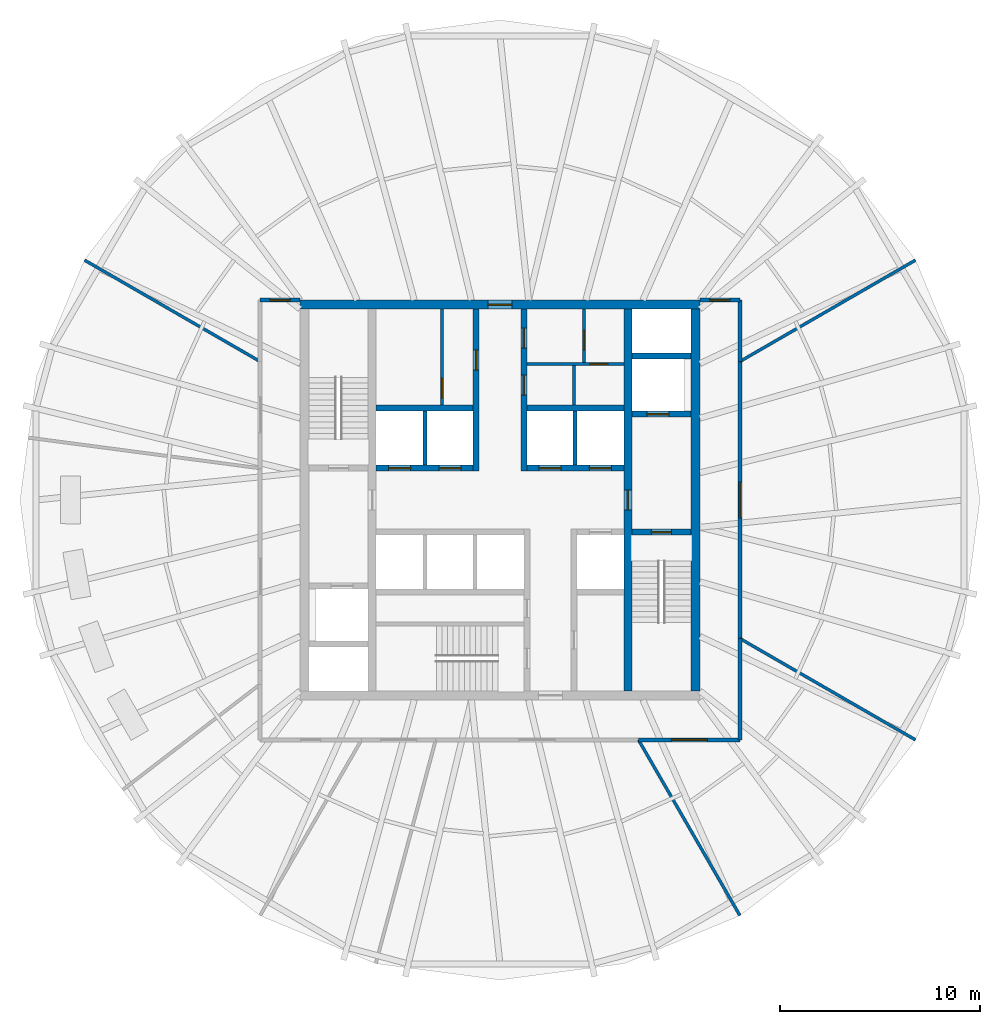
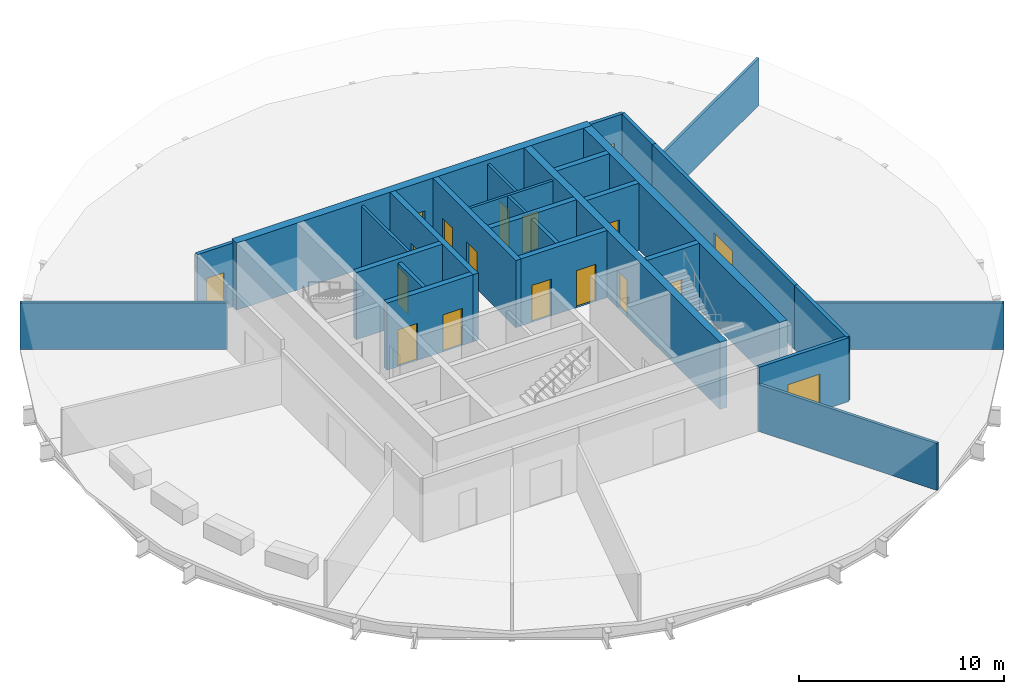
# One storey, part 4 of 7: 28 walls, 18 doors, 18 openings.
"""IFC4 building model written with IfcOpenShell, lengths in metres."""

from ifc_helpers import new_model, si_unit, direction, frame, frame_2d, origin, place, context, subcontext, project, spatial, rectangle, extrude, material, layer, layer_set, type_object, element, fill, save


model = new_model("IFC4")

# Units and contexts
model_context = context("Model", 3, precision=1e-05, world=origin(), true_north=direction((0.0, 1.0)))
body_context = subcontext(model_context, "Body", "Model", "MODEL_VIEW")
ifc_project = project(units=[si_unit("LENGTHUNIT", "METRE"), si_unit("AREAUNIT", "SQUARE_METRE"), si_unit("VOLUMEUNIT", "CUBIC_METRE"), si_unit("PLANEANGLEUNIT", "RADIAN"), si_unit("MASSUNIT", "GRAM", prefix="KILO")], contexts=[model_context])

# Site, building, storey
site_placement = place(None, origin())
site = spatial("IfcSite", under=ifc_project, at=site_placement, CompositionType="ELEMENT")
building_placement = place(site_placement, origin())
building = spatial("IfcBuilding", under=site, at=building_placement, Name="Golbaran Civic Tower", CompositionType="ELEMENT")
storey_placement = place(building_placement, frame((0.0, 0.0, 171.0)))
storey = spatial("IfcBuildingStorey", under=building, at=storey_placement, Name="L41", CompositionType="ELEMENT", Elevation=171.0)

# Wall, opening, door
ifc_material_1 = material(Name="Concrete block", Category="concrete")
ifc_layer_1 = layer(ifc_material_1, 0.14990234375, Name="Concrete block")
ifc_layer_set_1 = layer_set([ifc_layer_1], Name="Concrete block")
wall_type_1 = type_object("IfcWallType", Name="BLOCKWORK PARTITION 150", PredefinedType="PARTITIONING", material=ifc_layer_set_1)
wall_1_placement = place(storey_placement, frame((1.35009765625, 6.800048828125, 0.0), z_axis=(0.0, 0.0, 1.0), x_axis=(1.0, 0.0, 0.0)))
wall_1 = element("IfcWall", 1, at=wall_1_placement, inside=storey, type_object=wall_type_1, Name="Toilet block partition TN1 L41", PredefinedType="PARTITIONING", context=body_context, shape_type="SweptSolid", body=[
    extrude(rectangle(XDim=4.849853515625, YDim=0.14990234375, at=frame_2d((2.4248046875, 0.0))), origin(), (0.0, 0.0, 1.0), 3.75),
])
opening_1_placement = place(wall_1_placement, frame((3.14990234375, 0.0, 0.0)))
opening_1 = element("IfcOpeningElement", 2, at=opening_1_placement, cuts=wall_1, Name="Opening L41.CLN", PredefinedType="OPENING", context=body_context, shape_type="SweptSolid", body=[
    extrude(rectangle(XDim=0.89990234375, YDim=2.199951171875, at=frame_2d((0.449951171875, 1.10009765625))), frame((0.0, 0.0849609375, 0.0), z_axis=(0.0, -1.0, 0.0), x_axis=(1.0, 0.0, 0.0)), (0.0, 0.0, 1.0), 0.169921875),
])
ifc_material_2 = material(Name="Timber door set in steel frame", Category="steel")
door_type_1 = type_object("IfcDoorType", Name="RISER DOOR 900x2200", OperationType="SINGLE_SWING_LEFT", PredefinedType="DOOR", material=ifc_material_2)
door_1_placement = place(opening_1_placement, origin())
door_1 = element("IfcDoor", 3, at=door_1_placement, inside=storey, type_object=door_type_1, Name="Sanitary Supplies Store door", OperationType="SINGLE_SWING_RIGHT", OverallHeight=2.199951171875, OverallWidth=0.89990234375, PredefinedType="DOOR", context=body_context, shape_type="SweptSolid", body=[
    extrude(rectangle(XDim=0.89990234375, YDim=2.199951171875, at=frame_2d((0.449951171875, 1.10009765625))), frame((0.0, 0.02490234375, 0.0), z_axis=(0.0, -1.0, 0.0), x_axis=(1.0, 0.0, 0.0)), (0.0, 0.0, 1.0), 0.050048828125),
])
fill(opening_1, door_1)

# Wall
wall_2_placement = place(storey_placement, frame((3.699951171875, 4.75, 0.0), z_axis=(0.0, 0.0, 1.0), x_axis=(0.0, 1.0, 0.0)))
element("IfcWall", 4, at=wall_2_placement, inside=storey, type_object=wall_type_1, Name="Toilet block partition TN2 L41", PredefinedType="PARTITIONING", context=body_context, shape_type="SweptSolid", body=[
    extrude(rectangle(XDim=1.97509765625, YDim=0.14990234375, at=frame_2d((0.987548828125, 0.0))), origin(), (0.0, 0.0, 1.0), 3.75),
])

# Wall, opening, door
ifc_material_3 = material(Name="Concrete C50/60", Category="concrete")
ifc_layer_2 = layer(ifc_material_3, 0.39990234375, Name="Concrete C50/60")
ifc_layer_set_2 = layer_set([ifc_layer_2], Name="Concrete C50/60")
wall_type_2 = type_object("IfcWallType", Name="CORE WALL CONCRETE 400", PredefinedType="SOLIDWALL", material=ifc_layer_set_2)
wall_3_placement = place(storey_placement, frame((6.39990234375, 9.550048828125, 0.0), z_axis=(0.0, 0.0, 1.0), x_axis=(0.0, -1.0, 0.0)))
wall_3 = element("IfcWall", 5, at=wall_3_placement, inside=storey, type_object=wall_type_2, Name="Core wall IE L41", PredefinedType="SOLIDWALL", context=body_context, shape_type="SweptSolid", body=[
    extrude(rectangle(XDim=19.10009765625, YDim=0.39990234375, at=frame_2d((9.550048828125, 0.0))), origin(), (0.0, 0.0, 1.0), 4.0),
])
opening_2_placement = place(wall_3_placement, frame((9.050048828125, 0.0, 0.0)))
opening_2 = element("IfcOpeningElement", 6, at=opening_2_placement, cuts=wall_3, Name="Opening L41.FL2", PredefinedType="OPENING", context=body_context, shape_type="SweptSolid", body=[
    extrude(rectangle(XDim=1.0, YDim=2.199951171875, at=frame_2d((0.5, 1.10009765625))), frame((0.0, 0.2099609375, 0.0), z_axis=(0.0, -1.0, 0.0), x_axis=(1.0, 0.0, 0.0)), (0.0, 0.0, 1.0), 0.419921875),
])
door_type_2 = type_object("IfcDoorType", Name="STAIR DOOR 1000x2200", OperationType="SINGLE_SWING_LEFT", PredefinedType="DOOR", material=ifc_material_2)
door_2_placement = place(opening_2_placement, origin())
door_2 = element("IfcDoor", 7, at=door_2_placement, inside=storey, type_object=door_type_2, Name="Fire-fighting lobby FL2 door", OperationType="SINGLE_SWING_RIGHT", OverallHeight=2.199951171875, OverallWidth=1.0, PredefinedType="DOOR", context=body_context, shape_type="SweptSolid", body=[
    extrude(rectangle(XDim=1.0, YDim=2.199951171875, at=frame_2d((0.5, 1.10009765625))), frame((0.0, 0.02490234375, 0.0), z_axis=(0.0, -1.0, 0.0), x_axis=(1.0, 0.0, 0.0)), (0.0, 0.0, 1.0), 0.050048828125),
])
fill(opening_2, door_2)

ifc_layer_3 = layer(ifc_material_3, 0.449951171875, Name="Concrete C50/60")
ifc_layer_set_3 = layer_set([ifc_layer_3], Name="Concrete C50/60")
wall_type_3 = type_object("IfcWallType", Name="CORE WALL CONCRETE 450", PredefinedType="SOLIDWALL", material=ifc_layer_set_3)
wall_4_placement = place(storey_placement, frame((-10.0, 9.77490234375, 0.0), z_axis=(0.0, 0.0, 1.0), x_axis=(1.0, 0.0, 0.0)))
wall_4 = element("IfcWall", 8, at=wall_4_placement, inside=storey, type_object=wall_type_3, Name="Core wall CN L41", PredefinedType="SOLIDWALL", context=body_context, shape_type="SweptSolid", body=[
    extrude(rectangle(XDim=20.0, YDim=0.449951171875, at=frame_2d((10.0, 0.0))), origin(), (0.0, 0.0, 1.0), 4.0),
])
opening_3_placement = place(wall_4_placement, frame((9.39990234375, 0.0, 0.0)))
opening_3 = element("IfcOpeningElement", 9, at=opening_3_placement, cuts=wall_4, Name="Opening L41.CN", PredefinedType="OPENING", context=body_context, shape_type="SweptSolid", body=[
    extrude(rectangle(XDim=1.199951171875, YDim=2.199951171875, at=frame_2d((0.60009765625, 1.10009765625))), frame((0.0, 0.23486328125, 0.0), z_axis=(0.0, -1.0, 0.0), x_axis=(1.0, 0.0, 0.0)), (0.0, 0.0, 1.0), 0.469970703125),
])
door_type_3 = type_object("IfcDoorType", Name="CORE DOOR 1200x2200", OperationType="DOUBLE_DOOR_SINGLE_SWING", PredefinedType="DOOR", material=ifc_material_2)
door_3_placement = place(opening_3_placement, origin())
door_3 = element("IfcDoor", 10, at=door_3_placement, inside=storey, type_object=door_type_3, Name="Core door north", OperationType="DOUBLE_DOOR_SINGLE_SWING", OverallHeight=2.199951171875, OverallWidth=1.199951171875, PredefinedType="DOOR", context=body_context, shape_type="SweptSolid", body=[
    extrude(rectangle(XDim=1.199951171875, YDim=2.199951171875, at=frame_2d((0.60009765625, 1.10009765625))), frame((0.0, 0.02490234375, 0.0), z_axis=(0.0, -1.0, 0.0), x_axis=(1.0, 0.0, 0.0)), (0.0, 0.0, 1.0), 0.050048828125),
])
fill(opening_3, door_3)

# Wall
wall_5_placement = place(storey_placement, frame((9.77490234375, -9.550048828125, 0.0), z_axis=(0.0, 0.0, 1.0), x_axis=(0.0, 1.0, 0.0)))
element("IfcWall", 11, at=wall_5_placement, inside=storey, type_object=wall_type_3, Name="Core wall CE L41", PredefinedType="SOLIDWALL", context=body_context, shape_type="SweptSolid", body=[
    extrude(rectangle(XDim=19.10009765625, YDim=0.449951171875, at=frame_2d((9.550048828125, 0.0))), origin(), (0.0, 0.0, 1.0), 4.0),
])

# Wall, opening, door
ifc_material_4 = material(Name="Gypsum board on steel studs, fire-rated", Category="steel")
ifc_layer_4 = layer(ifc_material_4, 0.199951171875, Name="Gypsum board on steel studs, fire-rated")
ifc_layer_set_4 = layer_set([ifc_layer_4], Name="Gypsum board on steel studs, fire-rated")
wall_type_4 = type_object("IfcWallType", Name="CORRIDOR WALL 200", PredefinedType="PARTITIONING", material=ifc_layer_set_4)
wall_6_placement = place(storey_placement, frame((12.0, -6.92822265625, 0.0), z_axis=(0.0, 0.0, 1.0), x_axis=(0.0, 1.0, 0.0)))
wall_6 = element("IfcWall", 12, at=wall_6_placement, inside=storey, type_object=wall_type_4, Name="Corridor wall L41", PredefinedType="PARTITIONING", context=body_context, shape_type="SweptSolid", body=[
    extrude(rectangle(XDim=13.8564453125, YDim=0.199951171875, at=frame_2d((6.92822265625, 0.0))), origin(), (0.0, 0.0, 1.0), 3.800048828125),
])
opening_4_placement = place(wall_6_placement, frame((6.0283203125, 0.0, 0.0)))
opening_4 = element("IfcOpeningElement", 13, at=opening_4_placement, cuts=wall_6, Name="Opening L41.02", PredefinedType="OPENING", context=body_context, shape_type="SweptSolid", body=[
    extrude(rectangle(XDim=1.800048828125, YDim=2.199951171875, at=frame_2d((0.89990234375, 1.10009765625))), frame((0.0, 0.10986328125, 0.0), z_axis=(0.0, -1.0, 0.0), x_axis=(1.0, 0.0, 0.0)), (0.0, 0.0, 1.0), 0.219970703125),
])
door_type_4 = type_object("IfcDoorType", Name="OFFICE DOUBLE DOOR 1800x2200", OperationType="DOUBLE_DOOR_SINGLE_SWING", PredefinedType="DOOR", material=ifc_material_2)
door_4_placement = place(opening_4_placement, origin())
door_4 = element("IfcDoor", 14, at=door_4_placement, inside=storey, type_object=door_type_4, Name="Open Office door L41", OperationType="DOUBLE_DOOR_SINGLE_SWING", OverallHeight=2.199951171875, OverallWidth=1.800048828125, PredefinedType="DOOR", context=body_context, shape_type="SweptSolid", body=[
    extrude(rectangle(XDim=1.800048828125, YDim=2.199951171875, at=frame_2d((0.89990234375, 1.10009765625))), frame((0.0, 0.02490234375, 0.0), z_axis=(0.0, -1.0, 0.0), x_axis=(1.0, 0.0, 0.0)), (0.0, 0.0, 1.0), 0.050048828125),
])
fill(opening_4, door_4)

# Wall
wall_7_placement = place(storey_placement, frame((12.0, 6.92822265625, 0.0), z_axis=(0.0, 0.0, 1.0), x_axis=(0.0, 1.0, 0.0)))
element("IfcWall", 15, at=wall_7_placement, inside=storey, type_object=wall_type_4, Name="Corridor wall L41", PredefinedType="PARTITIONING", context=body_context, shape_type="SweptSolid", body=[
    extrude(rectangle(XDim=3.07177734375, YDim=0.199951171875, at=frame_2d((1.535888671875, 0.0))), origin(), (0.0, 0.0, 1.0), 3.800048828125),
])

# Wall, opening, door
wall_8_placement = place(storey_placement, frame((6.92822265625, -12.0, 0.0), z_axis=(0.0, 0.0, 1.0), x_axis=(1.0, 0.0, 0.0)))
wall_8 = element("IfcWall", 16, at=wall_8_placement, inside=storey, type_object=wall_type_4, Name="Corridor wall L41", PredefinedType="PARTITIONING", context=body_context, shape_type="SweptSolid", body=[
    extrude(rectangle(XDim=5.07177734375, YDim=0.199951171875, at=frame_2d((2.535888671875, 0.0))), origin(), (0.0, 0.0, 1.0), 3.800048828125),
])
opening_5_placement = place(wall_8_placement, frame((1.635986328125, 0.0, 0.0)))
opening_5 = element("IfcOpeningElement", 17, at=opening_5_placement, cuts=wall_8, Name="Opening L41.08", PredefinedType="OPENING", context=body_context, shape_type="SweptSolid", body=[
    extrude(rectangle(XDim=1.800048828125, YDim=2.199951171875, at=frame_2d((0.89990234375, 1.10009765625))), frame((0.0, 0.10986328125, 0.0), z_axis=(0.0, -1.0, 0.0), x_axis=(1.0, 0.0, 0.0)), (0.0, 0.0, 1.0), 0.219970703125),
])
door_5_placement = place(opening_5_placement, origin())
door_5 = element("IfcDoor", 18, at=door_5_placement, inside=storey, type_object=door_type_4, Name="Open Office door L41", OperationType="DOUBLE_DOOR_SINGLE_SWING", OverallHeight=2.199951171875, OverallWidth=1.800048828125, PredefinedType="DOOR", context=body_context, shape_type="SweptSolid", body=[
    extrude(rectangle(XDim=1.800048828125, YDim=2.199951171875, at=frame_2d((0.89990234375, 1.10009765625))), frame((0.0, 0.02490234375, 0.0), z_axis=(0.0, -1.0, 0.0), x_axis=(1.0, 0.0, 0.0)), (0.0, 0.0, 1.0), 0.050048828125),
])
fill(opening_5, door_5)

# Wall
wall_9_placement = place(storey_placement, frame((12.0, -12.0, 0.0), z_axis=(0.0, 0.0, 1.0), x_axis=(0.0, 1.0, 0.0)))
element("IfcWall", 19, at=wall_9_placement, inside=storey, type_object=wall_type_4, Name="Corridor wall L41", PredefinedType="PARTITIONING", context=body_context, shape_type="SweptSolid", body=[
    extrude(rectangle(XDim=5.07177734375, YDim=0.199951171875, at=frame_2d((2.535888671875, 0.0))), origin(), (0.0, 0.0, 1.0), 3.800048828125),
])

# Wall, opening, door
wall_10_placement = place(storey_placement, frame((-10.0, 10.0, 0.0), z_axis=(0.0, 0.0, 1.0), x_axis=(-1.0, 0.0, 0.0)))
wall_10 = element("IfcWall", 20, at=wall_10_placement, inside=storey, type_object=wall_type_4, Name="Corridor end wall L41", PredefinedType="PARTITIONING", context=body_context, shape_type="SweptSolid", body=[
    extrude(rectangle(XDim=2.0, YDim=0.199951171875, at=frame_2d((1.0, 0.0))), origin(), (0.0, 0.0, 1.0), 3.800048828125),
])
opening_6_placement = place(wall_10_placement, frame((0.5, 0.0, 0.0)))
opening_6 = element("IfcOpeningElement", 21, at=opening_6_placement, cuts=wall_10, Name="Opening L41.10", PredefinedType="OPENING", context=body_context, shape_type="SweptSolid", body=[
    extrude(rectangle(XDim=1.0, YDim=2.199951171875, at=frame_2d((0.5, 1.10009765625))), frame((0.0, 0.10986328125, 0.0), z_axis=(0.0, -1.0, 0.0), x_axis=(1.0, 0.0, 0.0)), (0.0, 0.0, 1.0), 0.219970703125),
])
door_type_5 = type_object("IfcDoorType", Name="OFFICE DOOR 1000x2200", OperationType="SINGLE_SWING_LEFT", PredefinedType="DOOR", material=ifc_material_2)
door_6_placement = place(opening_6_placement, origin())
door_6 = element("IfcDoor", 22, at=door_6_placement, inside=storey, type_object=door_type_5, Name="Open Office door L41", OperationType="SINGLE_SWING_RIGHT", OverallHeight=2.199951171875, OverallWidth=1.0, PredefinedType="DOOR", context=body_context, shape_type="SweptSolid", body=[
    extrude(rectangle(XDim=1.0, YDim=2.199951171875, at=frame_2d((0.5, 1.10009765625))), frame((0.0, 0.02490234375, 0.0), z_axis=(0.0, -1.0, 0.0), x_axis=(1.0, 0.0, 0.0)), (0.0, 0.0, 1.0), 0.050048828125),
])
fill(opening_6, door_6)

wall_11_placement = place(storey_placement, frame((10.0, 10.0, 0.0), z_axis=(0.0, 0.0, 1.0), x_axis=(1.0, 0.0, 0.0)))
wall_11 = element("IfcWall", 23, at=wall_11_placement, inside=storey, type_object=wall_type_4, Name="Corridor end wall L41", PredefinedType="PARTITIONING", context=body_context, shape_type="SweptSolid", body=[
    extrude(rectangle(XDim=2.0, YDim=0.199951171875, at=frame_2d((1.0, 0.0))), origin(), (0.0, 0.0, 1.0), 3.800048828125),
])
opening_7_placement = place(wall_11_placement, frame((0.5, 0.0, 0.0)))
opening_7 = element("IfcOpeningElement", 24, at=opening_7_placement, cuts=wall_11, Name="Opening L41.11", PredefinedType="OPENING", context=body_context, shape_type="SweptSolid", body=[
    extrude(rectangle(XDim=1.0, YDim=2.199951171875, at=frame_2d((0.5, 1.10009765625))), frame((0.0, 0.10986328125, 0.0), z_axis=(0.0, -1.0, 0.0), x_axis=(1.0, 0.0, 0.0)), (0.0, 0.0, 1.0), 0.219970703125),
])
door_7_placement = place(opening_7_placement, origin())
door_7 = element("IfcDoor", 25, at=door_7_placement, inside=storey, type_object=door_type_5, Name="Open Office door L41", OperationType="SINGLE_SWING_LEFT", OverallHeight=2.199951171875, OverallWidth=1.0, PredefinedType="DOOR", context=body_context, shape_type="SweptSolid", body=[
    extrude(rectangle(XDim=1.0, YDim=2.199951171875, at=frame_2d((0.5, 1.10009765625))), frame((0.0, 0.02490234375, 0.0), z_axis=(0.0, -1.0, 0.0), x_axis=(1.0, 0.0, 0.0)), (0.0, 0.0, 1.0), 0.050048828125),
])
fill(opening_7, door_7)

# Walls
ifc_layer_5 = layer(ifc_material_1, 0.199951171875, Name="Concrete block")
ifc_layer_set_5 = layer_set([ifc_layer_5], Name="Concrete block")
wall_type_5 = type_object("IfcWallType", Name="LIFT SEPARATOR WALL 200", PredefinedType="SOLIDWALL", material=ifc_layer_set_5)
for number, where, z_axis, x_axis, name in (
    (26, (-3.75, 1.75, 0.0), (0.0, 0.0, 1.0), (0.0, 1.0, 0.0), "Core partition SNW L41"),
    (27, (3.75, 1.75, 0.0), (0.0, 0.0, 1.0), (0.0, 1.0, 0.0), "Core partition SNE L41"),
):
    element("IfcWall", number, at=place(storey_placement, frame(where, z_axis=z_axis, x_axis=x_axis)), inside=storey, type_object=wall_type_5, Name=name, PredefinedType="SOLIDWALL", context=body_context, shape_type="SweptSolid", body=[
        extrude(rectangle(XDim=2.699951171875, YDim=0.199951171875, at=frame_2d((1.35009765625, 0.0))), origin(), (0.0, 0.0, 1.0), 3.75),
    ])
ifc_material_5 = material(Name="Gypsum board on steel studs", Category="steel")
ifc_layer_6 = layer(ifc_material_5, 0.14990234375, Name="Gypsum board on steel studs")
ifc_layer_set_6 = layer_set([ifc_layer_6], Name="Gypsum board on steel studs")
wall_type_6 = type_object("IfcWallType", Name="OFFICE PARTITION 150", PredefinedType="PARTITIONING", material=ifc_layer_set_6)
for number, where, z_axis, x_axis, name in (
    (28, (12.0, -6.92822265625, 0.0), (0.0, 0.0, 1.0), (0.866025941747, -0.49999906822, 0.0), "Partition 330 L41"),
    (29, (12.0, 6.92822265625, 0.0), (0.0, 0.0, 1.0), (0.866025941747, 0.49999906822, 0.0), "Partition 30 L41"),
    (30, (-12.0, 6.92822265625, 0.0), (0.0, 0.0, 1.0), (-0.866025941747, 0.49999906822, 0.0), "Partition 150 L41"),
    (31, (6.92822265625, -12.0, 0.0), (0.0, 0.0, 1.0), (0.49999906822, -0.866025941747, 0.0), "Partition 300 L41"),
):
    element("IfcWall", number, at=place(storey_placement, frame(where, z_axis=z_axis, x_axis=x_axis)), inside=storey, type_object=wall_type_6, Name=name, PredefinedType="PARTITIONING", context=body_context, shape_type="SweptSolid", body=[
        extrude(rectangle(XDim=10.1357421875, YDim=0.14990234375, at=frame_2d((5.06787109375, 0.0))), origin(), (0.0, 0.0, 1.0), 2.7900390625),
    ])

# Wall, openings, doors
ifc_layer_7 = layer(ifc_material_3, 0.300048828125, Name="Concrete C50/60")
ifc_layer_set_7 = layer_set([ifc_layer_7], Name="Concrete C50/60")
wall_type_7 = type_object("IfcWallType", Name="SHAFT WALL CONCRETE 300", PredefinedType="SOLIDWALL", material=ifc_layer_set_7)
wall_12_placement = place(storey_placement, frame((-6.199951171875, 1.60009765625, 0.0), z_axis=(0.0, 0.0, 1.0), x_axis=(1.0, 0.0, 0.0)))
wall_12 = element("IfcWall", 32, at=wall_12_placement, inside=storey, type_object=wall_type_7, Name="Core wall FNW L41", PredefinedType="SOLIDWALL", context=body_context, shape_type="SweptSolid", body=[
    extrude(rectangle(XDim=4.849853515625, YDim=0.300048828125, at=frame_2d((2.4248046875, 0.0))), origin(), (0.0, 0.0, 1.0), 4.0),
])
opening_8_placement = place(wall_12_placement, frame((0.625, 0.0, 0.0)))
opening_8 = element("IfcOpeningElement", 33, at=opening_8_placement, cuts=wall_12, Name="Opening L41.LD-Z1H", PredefinedType="OPENING", context=body_context, shape_type="SweptSolid", body=[
    extrude(rectangle(XDim=1.10009765625, YDim=2.199951171875, at=frame_2d((0.550048828125, 1.10009765625))), frame((0.0, 0.159912109375, 0.0), z_axis=(0.0, -1.0, 0.0), x_axis=(1.0, 0.0, 0.0)), (0.0, 0.0, 1.0), 0.320068359375),
])
opening_9_placement = place(wall_12_placement, frame((3.14990234375, 0.0, 0.0)))
opening_9 = element("IfcOpeningElement", 34, at=opening_9_placement, cuts=wall_12, Name="Opening L41.LD-Z2H", PredefinedType="OPENING", context=body_context, shape_type="SweptSolid", body=[
    extrude(rectangle(XDim=1.10009765625, YDim=2.199951171875, at=frame_2d((0.550048828125, 1.10009765625))), frame((0.0, 0.159912109375, 0.0), z_axis=(0.0, -1.0, 0.0), x_axis=(1.0, 0.0, 0.0)), (0.0, 0.0, 1.0), 0.320068359375),
])
ifc_material_6 = material(Name="Stainless steel", Category="steel")
door_type_6 = type_object("IfcDoorType", Name="LIFT LANDING DOOR 1100x2200", OperationType="SLIDING_TO_LEFT", PredefinedType="DOOR", material=ifc_material_6)
door_8_placement = place(opening_8_placement, origin())
door_8 = element("IfcDoor", 35, at=door_8_placement, inside=storey, type_object=door_type_6, Name="Lift landing door Z1H", OperationType="SLIDING_TO_LEFT", OverallHeight=2.199951171875, OverallWidth=1.10009765625, PredefinedType="DOOR", context=body_context, shape_type="SweptSolid", body=[
    extrude(rectangle(XDim=1.10009765625, YDim=2.199951171875, at=frame_2d((0.550048828125, 1.10009765625))), frame((0.0, 0.02490234375, 0.0), z_axis=(0.0, -1.0, 0.0), x_axis=(1.0, 0.0, 0.0)), (0.0, 0.0, 1.0), 0.050048828125),
])
fill(opening_8, door_8)
door_9_placement = place(opening_9_placement, origin())
door_9 = element("IfcDoor", 36, at=door_9_placement, inside=storey, type_object=door_type_6, Name="Lift landing door Z2H", OperationType="SLIDING_TO_LEFT", OverallHeight=2.199951171875, OverallWidth=1.10009765625, PredefinedType="DOOR", context=body_context, shape_type="SweptSolid", body=[
    extrude(rectangle(XDim=1.10009765625, YDim=2.199951171875, at=frame_2d((0.550048828125, 1.10009765625))), frame((0.0, 0.02490234375, 0.0), z_axis=(0.0, -1.0, 0.0), x_axis=(1.0, 0.0, 0.0)), (0.0, 0.0, 1.0), 0.050048828125),
])
fill(opening_9, door_9)

wall_13_placement = place(storey_placement, frame((1.35009765625, 1.60009765625, 0.0), z_axis=(0.0, 0.0, 1.0), x_axis=(1.0, 0.0, 0.0)))
wall_13 = element("IfcWall", 37, at=wall_13_placement, inside=storey, type_object=wall_type_7, Name="Core wall FNE L41", PredefinedType="SOLIDWALL", context=body_context, shape_type="SweptSolid", body=[
    extrude(rectangle(XDim=4.849853515625, YDim=0.300048828125, at=frame_2d((2.4248046875, 0.0))), origin(), (0.0, 0.0, 1.0), 4.0),
])
opening_10_placement = place(wall_13_placement, frame((0.60009765625, 0.0, 0.0)))
opening_10 = element("IfcOpeningElement", 38, at=opening_10_placement, cuts=wall_13, Name="Opening L41.LD-Z3H", PredefinedType="OPENING", context=body_context, shape_type="SweptSolid", body=[
    extrude(rectangle(XDim=1.10009765625, YDim=2.199951171875, at=frame_2d((0.550048828125, 1.10009765625))), frame((0.0, 0.159912109375, 0.0), z_axis=(0.0, -1.0, 0.0), x_axis=(1.0, 0.0, 0.0)), (0.0, 0.0, 1.0), 0.320068359375),
])
opening_11_placement = place(wall_13_placement, frame((3.125, 0.0, 0.0)))
opening_11 = element("IfcOpeningElement", 39, at=opening_11_placement, cuts=wall_13, Name="Opening L41.LD-Z4H", PredefinedType="OPENING", context=body_context, shape_type="SweptSolid", body=[
    extrude(rectangle(XDim=1.10009765625, YDim=2.199951171875, at=frame_2d((0.550048828125, 1.10009765625))), frame((0.0, 0.159912109375, 0.0), z_axis=(0.0, -1.0, 0.0), x_axis=(1.0, 0.0, 0.0)), (0.0, 0.0, 1.0), 0.320068359375),
])
door_10_placement = place(opening_10_placement, origin())
door_10 = element("IfcDoor", 40, at=door_10_placement, inside=storey, type_object=door_type_6, Name="Lift landing door Z3H", OperationType="SLIDING_TO_LEFT", OverallHeight=2.199951171875, OverallWidth=1.10009765625, PredefinedType="DOOR", context=body_context, shape_type="SweptSolid", body=[
    extrude(rectangle(XDim=1.10009765625, YDim=2.199951171875, at=frame_2d((0.550048828125, 1.10009765625))), frame((0.0, 0.02490234375, 0.0), z_axis=(0.0, -1.0, 0.0), x_axis=(1.0, 0.0, 0.0)), (0.0, 0.0, 1.0), 0.050048828125),
])
fill(opening_10, door_10)
door_11_placement = place(opening_11_placement, origin())
door_11 = element("IfcDoor", 41, at=door_11_placement, inside=storey, type_object=door_type_6, Name="Lift landing door Z4H", OperationType="SLIDING_TO_LEFT", OverallHeight=2.199951171875, OverallWidth=1.10009765625, PredefinedType="DOOR", context=body_context, shape_type="SweptSolid", body=[
    extrude(rectangle(XDim=1.10009765625, YDim=2.199951171875, at=frame_2d((0.550048828125, 1.10009765625))), frame((0.0, 0.02490234375, 0.0), z_axis=(0.0, -1.0, 0.0), x_axis=(1.0, 0.0, 0.0)), (0.0, 0.0, 1.0), 0.050048828125),
])
fill(opening_11, door_11)

# Walls
for number, where, z_axis, x_axis, name in (
    (42, (-6.199951171875, 4.60009765625, 0.0), (0.0, 0.0, 1.0), (1.0, 0.0, 0.0), "Core wall BNW L41"),
    (43, (1.35009765625, 4.60009765625, 0.0), (0.0, 0.0, 1.0), (1.0, 0.0, 0.0), "Core wall BNE L41"),
):
    element("IfcWall", number, at=place(storey_placement, frame(where, z_axis=z_axis, x_axis=x_axis)), inside=storey, type_object=wall_type_7, Name=name, PredefinedType="SOLIDWALL", context=body_context, shape_type="SweptSolid", body=[
        extrude(rectangle(XDim=4.849853515625, YDim=0.300048828125, at=frame_2d((2.4248046875, 0.0))), origin(), (0.0, 0.0, 1.0), 4.0),
    ])

# Wall, opening, door
wall_14_placement = place(storey_placement, frame((-1.199951171875, 1.449951171875, 0.0), z_axis=(0.0, 0.0, 1.0), x_axis=(0.0, 1.0, 0.0)))
wall_14 = element("IfcWall", 44, at=wall_14_placement, inside=storey, type_object=wall_type_7, Name="Core wall PNW L41", PredefinedType="SOLIDWALL", context=body_context, shape_type="SweptSolid", body=[
    extrude(rectangle(XDim=8.10009765625, YDim=0.300048828125, at=frame_2d((4.050048828125, 0.0))), origin(), (0.0, 0.0, 1.0), 4.0),
])
opening_12_placement = place(wall_14_placement, frame((5.050048828125, 0.0, 0.0)))
opening_12 = element("IfcOpeningElement", 45, at=opening_12_placement, cuts=wall_14, Name="Opening L41.WCM", PredefinedType="OPENING", context=body_context, shape_type="SweptSolid", body=[
    extrude(rectangle(XDim=1.0, YDim=2.199951171875, at=frame_2d((0.5, 1.10009765625))), frame((0.0, 0.159912109375, 0.0), z_axis=(0.0, -1.0, 0.0), x_axis=(1.0, 0.0, 0.0)), (0.0, 0.0, 1.0), 0.320068359375),
])
door_type_7 = type_object("IfcDoorType", Name="TOILET DOOR 1000x2200", OperationType="SINGLE_SWING_LEFT", PredefinedType="DOOR", material=ifc_material_2)
door_12_placement = place(opening_12_placement, origin())
door_12 = element("IfcDoor", 46, at=door_12_placement, inside=storey, type_object=door_type_7, Name="North-west toilet block door", OperationType="SINGLE_SWING_RIGHT", OverallHeight=2.199951171875, OverallWidth=1.0, PredefinedType="DOOR", context=body_context, shape_type="SweptSolid", body=[
    extrude(rectangle(XDim=1.0, YDim=2.199951171875, at=frame_2d((0.5, 1.10009765625))), frame((0.0, 0.02490234375, 0.0), z_axis=(0.0, -1.0, 0.0), x_axis=(1.0, 0.0, 0.0)), (0.0, 0.0, 1.0), 0.050048828125),
])
fill(opening_12, door_12)

# Wall, openings, doors
wall_15_placement = place(storey_placement, frame((1.199951171875, 1.449951171875, 0.0), z_axis=(0.0, 0.0, 1.0), x_axis=(0.0, 1.0, 0.0)))
wall_15 = element("IfcWall", 47, at=wall_15_placement, inside=storey, type_object=wall_type_7, Name="Core wall PNE L41", PredefinedType="SOLIDWALL", context=body_context, shape_type="SweptSolid", body=[
    extrude(rectangle(XDim=8.10009765625, YDim=0.300048828125, at=frame_2d((4.050048828125, 0.0))), origin(), (0.0, 0.0, 1.0), 4.0),
])
opening_13_placement = place(wall_15_placement, frame((3.800048828125, 0.0, 0.0)))
opening_13 = element("IfcOpeningElement", 48, at=opening_13_placement, cuts=wall_15, Name="Opening L41.WCA", PredefinedType="OPENING", context=body_context, shape_type="SweptSolid", body=[
    extrude(rectangle(XDim=1.0, YDim=2.199951171875, at=frame_2d((0.5, 1.10009765625))), frame((0.0, 0.159912109375, 0.0), z_axis=(0.0, -1.0, 0.0), x_axis=(1.0, 0.0, 0.0)), (0.0, 0.0, 1.0), 0.320068359375),
])
opening_14_placement = place(wall_15_placement, frame((6.14990234375, 0.0, 0.0)))
opening_14 = element("IfcOpeningElement", 49, at=opening_14_placement, cuts=wall_15, Name="Opening L41.WCF", PredefinedType="OPENING", context=body_context, shape_type="SweptSolid", body=[
    extrude(rectangle(XDim=1.0, YDim=2.199951171875, at=frame_2d((0.5, 1.10009765625))), frame((0.0, 0.159912109375, 0.0), z_axis=(0.0, -1.0, 0.0), x_axis=(1.0, 0.0, 0.0)), (0.0, 0.0, 1.0), 0.320068359375),
])
door_13_placement = place(opening_13_placement, origin())
door_13 = element("IfcDoor", 50, at=door_13_placement, inside=storey, type_object=door_type_7, Name="Accessible WC door", OperationType="SINGLE_SWING_RIGHT", OverallHeight=2.199951171875, OverallWidth=1.0, PredefinedType="DOOR", context=body_context, shape_type="SweptSolid", body=[
    extrude(rectangle(XDim=1.0, YDim=2.199951171875, at=frame_2d((0.5, 1.10009765625))), frame((0.0, 0.02490234375, 0.0), z_axis=(0.0, -1.0, 0.0), x_axis=(1.0, 0.0, 0.0)), (0.0, 0.0, 1.0), 0.050048828125),
])
fill(opening_13, door_13)
door_14_placement = place(opening_14_placement, origin())
door_14 = element("IfcDoor", 51, at=door_14_placement, inside=storey, type_object=door_type_7, Name="North-east toilet block door", OperationType="SINGLE_SWING_RIGHT", OverallHeight=2.199951171875, OverallWidth=1.0, PredefinedType="DOOR", context=body_context, shape_type="SweptSolid", body=[
    extrude(rectangle(XDim=1.0, YDim=2.199951171875, at=frame_2d((0.5, 1.10009765625))), frame((0.0, 0.02490234375, 0.0), z_axis=(0.0, -1.0, 0.0), x_axis=(1.0, 0.0, 0.0)), (0.0, 0.0, 1.0), 0.050048828125),
])
fill(opening_14, door_14)

# Wall, opening, door
wall_16_placement = place(storey_placement, frame((6.60009765625, -1.60009765625, 0.0), z_axis=(0.0, 0.0, 1.0), x_axis=(1.0, 0.0, 0.0)))
wall_16 = element("IfcWall", 52, at=wall_16_placement, inside=storey, type_object=wall_type_7, Name="Core wall XE1 L41", PredefinedType="SOLIDWALL", context=body_context, shape_type="SweptSolid", body=[
    extrude(rectangle(XDim=2.949951171875, YDim=0.300048828125, at=frame_2d((1.47509765625, 0.0))), origin(), (0.0, 0.0, 1.0), 4.0),
])
opening_15_placement = place(wall_16_placement, frame((0.97509765625, 0.0, 0.0)))
opening_15 = element("IfcOpeningElement", 53, at=opening_15_placement, cuts=wall_16, Name="Opening L41.S2", PredefinedType="OPENING", context=body_context, shape_type="SweptSolid", body=[
    extrude(rectangle(XDim=1.0, YDim=2.199951171875, at=frame_2d((0.5, 1.10009765625))), frame((0.0, 0.159912109375, 0.0), z_axis=(0.0, -1.0, 0.0), x_axis=(1.0, 0.0, 0.0)), (0.0, 0.0, 1.0), 0.320068359375),
])
door_15_placement = place(opening_15_placement, origin())
door_15 = element("IfcDoor", 54, at=door_15_placement, inside=storey, type_object=door_type_2, Name="Stair S2 door", OperationType="SINGLE_SWING_LEFT", OverallHeight=2.199951171875, OverallWidth=1.0, PredefinedType="DOOR", context=body_context, shape_type="SweptSolid", body=[
    extrude(rectangle(XDim=1.0, YDim=2.199951171875, at=frame_2d((0.5, 1.10009765625))), frame((0.0, 0.02490234375, 0.0), z_axis=(0.0, -1.0, 0.0), x_axis=(1.0, 0.0, 0.0)), (0.0, 0.0, 1.0), 0.050048828125),
])
fill(opening_15, door_15)

wall_17_placement = place(storey_placement, frame((6.60009765625, 4.300048828125, 0.0), z_axis=(0.0, 0.0, 1.0), x_axis=(1.0, 0.0, 0.0)))
wall_17 = element("IfcWall", 55, at=wall_17_placement, inside=storey, type_object=wall_type_7, Name="Core wall XE2 L41", PredefinedType="SOLIDWALL", context=body_context, shape_type="SweptSolid", body=[
    extrude(rectangle(XDim=2.949951171875, YDim=0.300048828125, at=frame_2d((1.47509765625, 0.0))), origin(), (0.0, 0.0, 1.0), 4.0),
])
opening_16_placement = place(wall_17_placement, frame((0.75, 0.0, 0.0)))
opening_16 = element("IfcOpeningElement", 56, at=opening_16_placement, cuts=wall_17, Name="Opening L41.LD-F2", PredefinedType="OPENING", context=body_context, shape_type="SweptSolid", body=[
    extrude(rectangle(XDim=1.10009765625, YDim=2.199951171875, at=frame_2d((0.550048828125, 1.10009765625))), frame((0.0, 0.159912109375, 0.0), z_axis=(0.0, -1.0, 0.0), x_axis=(1.0, 0.0, 0.0)), (0.0, 0.0, 1.0), 0.320068359375),
])
door_16_placement = place(opening_16_placement, origin())
door_16 = element("IfcDoor", 57, at=door_16_placement, inside=storey, type_object=door_type_6, Name="Lift landing door F2", OperationType="SLIDING_TO_LEFT", OverallHeight=2.199951171875, OverallWidth=1.10009765625, PredefinedType="DOOR", context=body_context, shape_type="SweptSolid", body=[
    extrude(rectangle(XDim=1.10009765625, YDim=2.199951171875, at=frame_2d((0.550048828125, 1.10009765625))), frame((0.0, 0.02490234375, 0.0), z_axis=(0.0, -1.0, 0.0), x_axis=(1.0, 0.0, 0.0)), (0.0, 0.0, 1.0), 0.050048828125),
])
fill(opening_16, door_16)

# Wall
wall_18_placement = place(storey_placement, frame((6.60009765625, 7.199951171875, 0.0), z_axis=(0.0, 0.0, 1.0), x_axis=(1.0, 0.0, 0.0)))
element("IfcWall", 58, at=wall_18_placement, inside=storey, type_object=wall_type_7, Name="Core wall XE3 L41", PredefinedType="SOLIDWALL", context=body_context, shape_type="SweptSolid", body=[
    extrude(rectangle(XDim=2.949951171875, YDim=0.300048828125, at=frame_2d((1.47509765625, 0.0))), origin(), (0.0, 0.0, 1.0), 4.0),
])

# Wall, opening, door
ifc_material_7 = material(Name="Moisture-resistant gypsum board on steel studs", Category="steel")
ifc_layer_8 = layer(ifc_material_7, 0.14990234375, Name="Moisture-resistant gypsum board on steel studs")
ifc_layer_set_8 = layer_set([ifc_layer_8], Name="Moisture-resistant gypsum board on steel studs")
wall_type_8 = type_object("IfcWallType", Name="TOILET BLOCK PARTITION 150", PredefinedType="PARTITIONING", material=ifc_layer_set_8)
wall_19_placement = place(storey_placement, frame((4.199951171875, 6.875, 0.0), z_axis=(0.0, 0.0, 1.0), x_axis=(0.0, 1.0, 0.0)))
wall_19 = element("IfcWall", 59, at=wall_19_placement, inside=storey, type_object=wall_type_8, Name="Toilet block partition TN3 L41", PredefinedType="PARTITIONING", context=body_context, shape_type="SweptSolid", body=[
    extrude(rectangle(XDim=2.675048828125, YDim=0.14990234375, at=frame_2d((1.33740234375, 0.0))), origin(), (0.0, 0.0, 1.0), 3.75),
])
opening_17_placement = place(wall_19_placement, frame((0.625, 0.0, 0.0)))
opening_17 = element("IfcOpeningElement", 60, at=opening_17_placement, cuts=wall_19, Name="Opening L41.01", PredefinedType="OPENING", context=body_context, shape_type="SweptSolid", body=[
    extrude(rectangle(XDim=1.0, YDim=2.199951171875, at=frame_2d((0.5, 1.10009765625))), frame((0.0, 0.0849609375, 0.0), z_axis=(0.0, -1.0, 0.0), x_axis=(1.0, 0.0, 0.0)), (0.0, 0.0, 1.0), 0.169921875),
])
door_17_placement = place(opening_17_placement, origin())
door_17 = element("IfcDoor", 61, at=door_17_placement, inside=storey, type_object=door_type_7, Name="Parents' room door", OperationType="SINGLE_SWING_LEFT", OverallHeight=2.199951171875, OverallWidth=1.0, PredefinedType="DOOR", context=body_context, shape_type="SweptSolid", body=[
    extrude(rectangle(XDim=1.0, YDim=2.199951171875, at=frame_2d((0.5, 1.10009765625))), frame((0.0, 0.02490234375, 0.0), z_axis=(0.0, -1.0, 0.0), x_axis=(1.0, 0.0, 0.0)), (0.0, 0.0, 1.0), 0.050048828125),
])
fill(opening_17, door_17)

wall_20_placement = place(storey_placement, frame((-2.89990234375, 4.75, 0.0), z_axis=(0.0, 0.0, 1.0), x_axis=(0.0, 1.0, 0.0)))
wall_20 = element("IfcWall", 62, at=wall_20_placement, inside=storey, type_object=wall_type_8, Name="Toilet block partition MWL L41", PredefinedType="PARTITIONING", context=body_context, shape_type="SweptSolid", body=[
    extrude(rectangle(XDim=4.800048828125, YDim=0.14990234375, at=frame_2d((2.39990234375, 0.0))), origin(), (0.0, 0.0, 1.0), 3.75),
])
opening_18_placement = place(wall_20_placement, frame((0.35009765625, 0.0, 0.0)))
opening_18 = element("IfcOpeningElement", 63, at=opening_18_placement, cuts=wall_20, Name="Opening L41.09", PredefinedType="OPENING", context=body_context, shape_type="SweptSolid", body=[
    extrude(rectangle(XDim=1.0, YDim=2.199951171875, at=frame_2d((0.5, 1.10009765625))), frame((0.0, 0.0849609375, 0.0), z_axis=(0.0, -1.0, 0.0), x_axis=(1.0, 0.0, 0.0)), (0.0, 0.0, 1.0), 0.169921875),
])
door_18_placement = place(opening_18_placement, origin())
door_18 = element("IfcDoor", 64, at=door_18_placement, inside=storey, type_object=door_type_7, Name="Male WC door", OperationType="SINGLE_SWING_LEFT", OverallHeight=2.199951171875, OverallWidth=1.0, PredefinedType="DOOR", context=body_context, shape_type="SweptSolid", body=[
    extrude(rectangle(XDim=1.0, YDim=2.199951171875, at=frame_2d((0.5, 1.10009765625))), frame((0.0, 0.02490234375, 0.0), z_axis=(0.0, -1.0, 0.0), x_axis=(1.0, 0.0, 0.0)), (0.0, 0.0, 1.0), 0.050048828125),
])
fill(opening_18, door_18)

save(model, "model.ifc")
